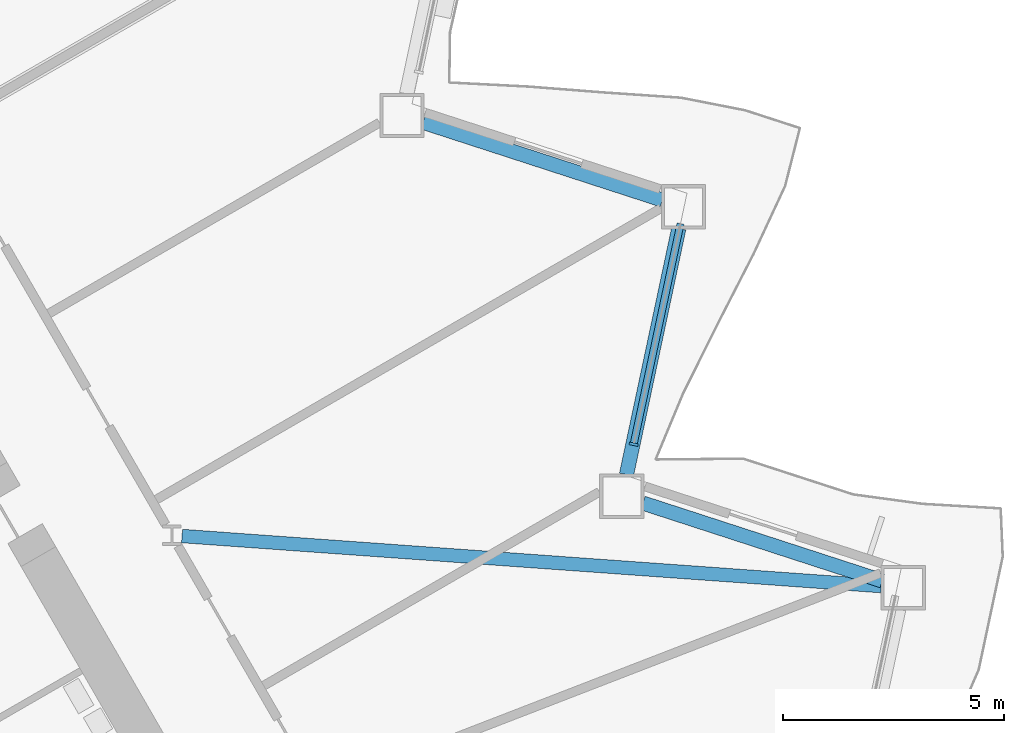
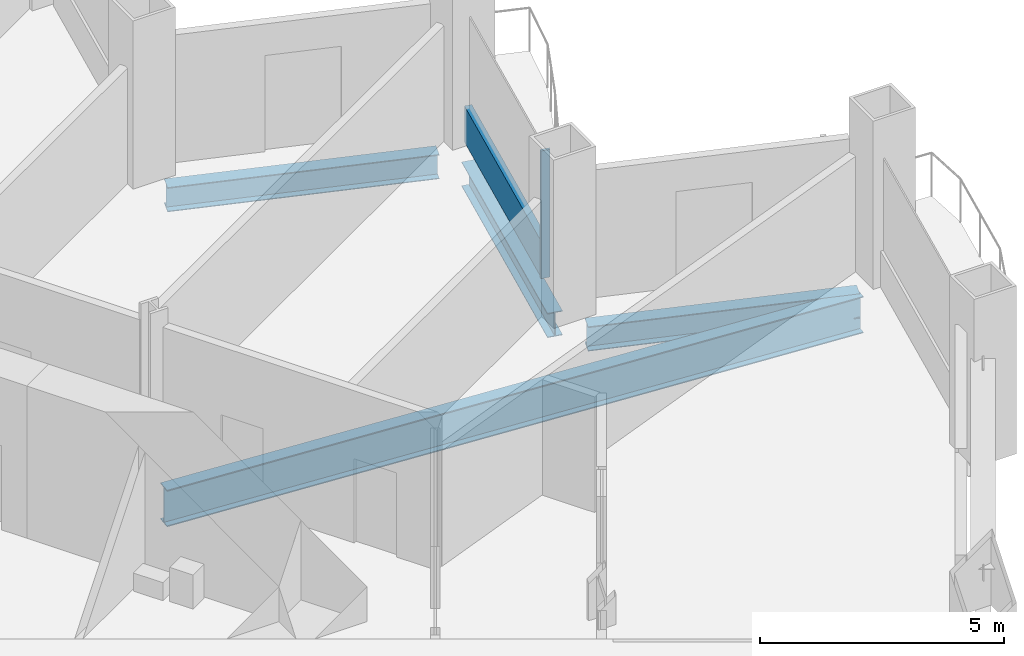
# One storey, part 5 of 21: 4 beams, 2 members, 1 element without a shape of its own.
"""IFC4 building model written with IfcOpenShell, lengths in metres."""

from ifc_helpers import new_model, si_unit, direction, frame, origin, origin_2d, place, context, subcontext, project, spatial, rectangle, i_section, extrude, material, layer, layer_set, material_profile, profile_set, type_object, element, aggregate, save


model = new_model("IFC4")

# Units and contexts
model_context = context("Model", 3, precision=1e-05, world=origin(), true_north=direction((0.0, 1.0)))
body_context = subcontext(model_context, "Body", "Model", "MODEL_VIEW")
ifc_project = project(units=[si_unit("LENGTHUNIT", "METRE"), si_unit("AREAUNIT", "SQUARE_METRE"), si_unit("VOLUMEUNIT", "CUBIC_METRE"), si_unit("PLANEANGLEUNIT", "RADIAN"), si_unit("MASSUNIT", "GRAM", prefix="KILO")], contexts=[model_context])

# Site, building, storey
site_placement = place(None, origin())
site = spatial("IfcSite", under=ifc_project, at=site_placement, CompositionType="ELEMENT")
building_placement = place(site_placement, origin())
building = spatial("IfcBuilding", under=site, at=building_placement, Name="Cormorant Prow Tower", CompositionType="ELEMENT")
storey_placement = place(building_placement, frame((0.0, 0.0, 46.800048828125)))
storey = spatial("IfcBuildingStorey", under=building, at=storey_placement, Name="L09", CompositionType="ELEMENT", Elevation=46.800048828125)

# Curtain wall, members
ifc_material_1 = material(Name="Aluminium 6063-T6", Category="aluminium")
ifc_layer = layer(ifc_material_1, 0.199951171875)
ifc_layer_set = layer_set([ifc_layer], Name="Aluminium 6063-T6")
curtain_wall_type = type_object("IfcCurtainWallType", Name="Office unitised curtain wall 200", PredefinedType="NOTDEFINED", material=ifc_layer_set)
curtain_wall_placement = place(storey_placement, origin())
curtain_wall = element("IfcCurtainWall", 1, at=curtain_wall_placement, inside=storey, type_object=curtain_wall_type, Name="Office curtain wall ENE02", PredefinedType="NOTDEFINED")
ifc_material_2 = material(Name="Aluminium 6063-T6", Category="aluminium")
ifc_material_profile_1 = material_profile(ifc_material_2, rectangle(XDim=0.199951171875, YDim=0.06005859375, at=origin_2d()), Name="Office mullion 60x200")
ifc_profile_set_1 = profile_set([ifc_material_profile_1], Name="Aluminium 6063-T6")
member_type_1 = type_object("IfcMemberType", Name="Office mullion 60x200", PredefinedType="MULLION", material=ifc_profile_set_1)
member_1_placement = place(storey_placement, frame((26.2998046875, -0.9970703125, 0.0), z_axis=(0.0, 0.0, 1.0), x_axis=(-0.978147599834, 0.207911695052, 0.0)))
member_1 = element("IfcMember", 2, at=member_1_placement, type_object=member_type_1, Name="Office mullion ENE02", PredefinedType="MULLION", context=body_context, shape_type="SweptSolid", body=[
    extrude(rectangle(XDim=0.199951171875, YDim=0.06005859375, at=origin_2d()), origin(), (0.0, 0.0, 1.0), 3.18896484375),
])
ifc_material_3 = material(Name="Terracotta", Category="masonry")
ifc_material_profile_2 = material_profile(ifc_material_3, rectangle(XDim=0.159912109375, YDim=0.89990234375, at=origin_2d()), Name="Office terracotta spandrel rail 160x900")
ifc_profile_set_2 = profile_set([ifc_material_profile_2], Name="Terracotta")
member_type_2 = type_object("IfcMemberType", Name="Office terracotta spandrel rail 160x900", PredefinedType="USERDEFINED", material=ifc_profile_set_2)
member_2_placement = place(storey_placement, frame((26.305908203125, -0.967529296875, 0.449951171875), z_axis=(0.20794178862, 0.978141202764, 0.0), x_axis=(-0.978141202764, 0.20794178862, 0.0)))
member_2 = element("IfcMember", 3, at=member_2_placement, type_object=member_type_2, Name="Office spandrel rail ENE02", ObjectType="TRANSOM", PredefinedType="USERDEFINED", context=body_context, shape_type="SweptSolid", body=[
    extrude(rectangle(XDim=0.159912109375, YDim=0.89990234375, at=origin_2d()), origin(), (0.0, 0.0, 1.0), 5.063720703125),
])
aggregate(curtain_wall, [member_1, member_2])

# Beams
ifc_material_4 = material(Name="Structural steel ASTM A992 Gr 50", Category="steel")
ifc_material_profile_3 = material_profile(ifc_material_4, i_section(OverallWidth=0.3046875, OverallDepth=0.914794921875, WebThickness=0.0166015625, FlangeThickness=0.02587890625, at=origin_2d()), Name="W36x160")
ifc_profile_set_3 = profile_set([ifc_material_profile_3], Name="Structural steel ASTM A992 Gr 50")
beam_type_1 = type_object("IfcBeamType", Name="Radial floor beam W36x160", PredefinedType="BEAM", material=ifc_profile_set_3)
beam_1_placement = place(storey_placement, frame((16.099365234375, -3.0703125, -0.857421875), z_axis=(0.997443412532, -0.071460750045, 0.0), x_axis=(0.071460750045, 0.997443412532, 0.0)))
element("IfcBeam", 4, at=beam_1_placement, inside=storey, type_object=beam_type_1, Name="Radial floor beam FB1 10 L09", PredefinedType="BEAM", context=body_context, shape_type="SweptSolid", body=[
    extrude(i_section(OverallWidth=0.3046875, OverallDepth=0.914794921875, WebThickness=0.0166015625, FlangeThickness=0.02587890625, at=origin_2d()), origin(), (0.0, 0.0, 1.0), 15.831787109375),
])
ifc_material_5 = material(Name="Structural steel ASTM A992 Gr 50", Category="steel")
ifc_material_profile_4 = material_profile(ifc_material_5, i_section(OverallWidth=0.32373046875, OverallDepth=0.611083984375, WebThickness=0.0126953125, FlangeThickness=0.01904296875, at=origin_2d()), Name="W24x104")
ifc_profile_set_4 = profile_set([ifc_material_profile_4], Name="Structural steel ASTM A992 Gr 50")
beam_type_2 = type_object("IfcBeamType", Name="Spandrel beam W24x104", PredefinedType="SPANDREL", material=ifc_profile_set_4)
beam_2_placement = place(storey_placement, frame((31.913818359375, -4.082763671875, -0.70556640625), z_axis=(-0.951049222751, 0.309039440696, 0.0), x_axis=(-0.309039440696, -0.951049222751, 0.0)))
element("IfcBeam", 5, at=beam_2_placement, inside=storey, type_object=beam_type_2, Name="Spandrel beam SB1 ENE01-ENE02 L09", PredefinedType="SPANDREL", context=body_context, shape_type="SweptSolid", body=[
    extrude(i_section(OverallWidth=0.32373046875, OverallDepth=0.611083984375, WebThickness=0.0126953125, FlangeThickness=0.01904296875, at=origin_2d()), origin(), (0.0, 0.0, 1.0), 5.682373046875),
])
beam_3_placement = place(storey_placement, frame((26.137939453125, -1.68310546875, -0.70556640625), z_axis=(0.207900376723, 0.97815000555, 0.0), x_axis=(-0.97815000555, 0.207900376723, 0.0)))
element("IfcBeam", 6, at=beam_3_placement, inside=storey, type_object=beam_type_2, Name="Spandrel beam SB1 ENE02-ENE03 L09", PredefinedType="SPANDREL", context=body_context, shape_type="SweptSolid", body=[
    extrude(i_section(OverallWidth=0.32373046875, OverallDepth=0.611083984375, WebThickness=0.0126953125, FlangeThickness=0.01904296875, at=origin_2d()), origin(), (0.0, 0.0, 1.0), 5.6826171875),
])
beam_4_placement = place(storey_placement, frame((26.94775390625, 4.518798828125, -0.70556640625), z_axis=(-0.951061849722, 0.309000579292, 0.0), x_axis=(-0.309000579292, -0.951061849722, 0.0)))
element("IfcBeam", 7, at=beam_4_placement, inside=storey, type_object=beam_type_2, Name="Spandrel beam SB1 ENE03-ENE04 L09", PredefinedType="SPANDREL", context=body_context, shape_type="SweptSolid", body=[
    extrude(i_section(OverallWidth=0.32373046875, OverallDepth=0.611083984375, WebThickness=0.0126953125, FlangeThickness=0.01904296875, at=origin_2d()), origin(), (0.0, 0.0, 1.0), 5.682373046875),
])

save(model, "model.ifc")
